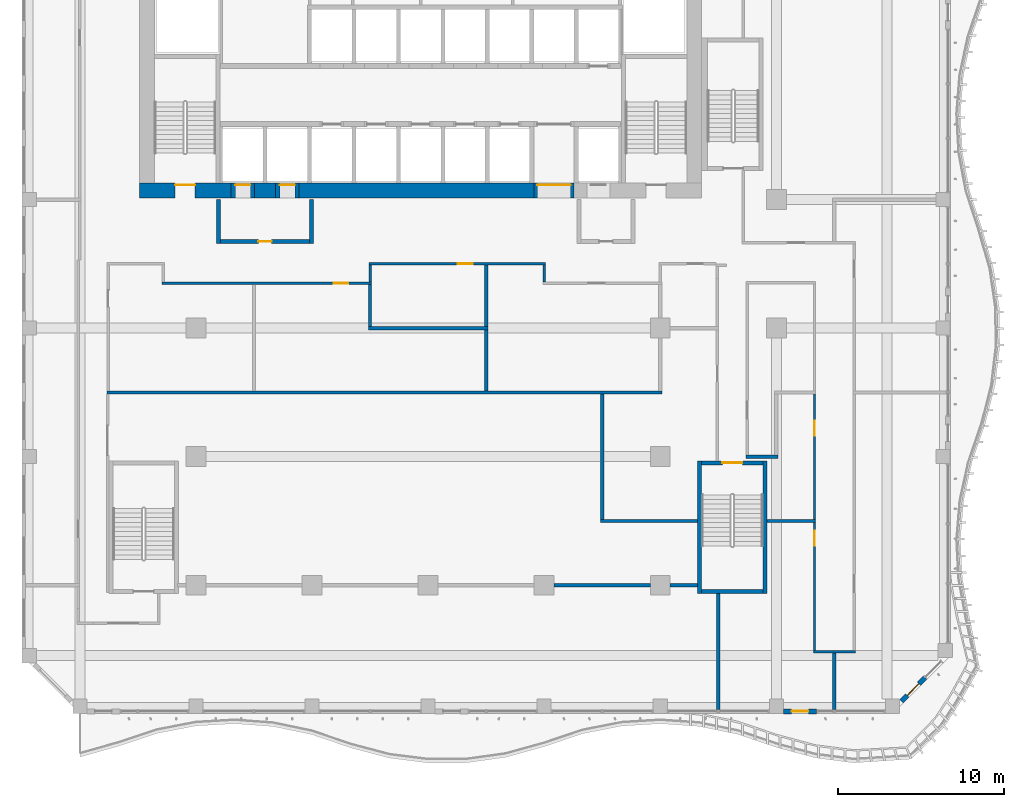
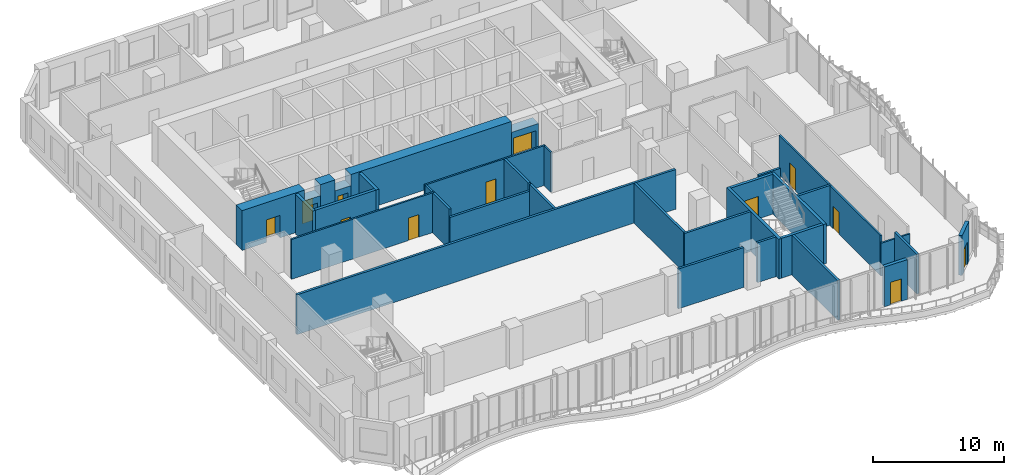
# One storey, part 13 of 27: 35 walls, 12 doors, 12 openings.
"""IFC4 building model written with IfcOpenShell, lengths in metres."""

from ifc_helpers import new_model, si_unit, direction, frame, frame_2d, origin, place, context, subcontext, project, spatial, rectangle, extrude, source, transform, mapped, material, layer, layer_set, type_object, element, fill, save


model = new_model("IFC4")

# Units and contexts
model_context = context("Model", 3, precision=1e-05, world=origin(), true_north=direction((0.0, 1.0)))
body_context = subcontext(model_context, "Body", "Model", "MODEL_VIEW")
ifc_project = project(units=[si_unit("LENGTHUNIT", "METRE"), si_unit("AREAUNIT", "SQUARE_METRE"), si_unit("VOLUMEUNIT", "CUBIC_METRE"), si_unit("PLANEANGLEUNIT", "RADIAN"), si_unit("MASSUNIT", "GRAM", prefix="KILO")], contexts=[model_context])

# Site, building, storey
site_placement = place(None, origin())
site = spatial("IfcSite", under=ifc_project, at=site_placement, CompositionType="ELEMENT")
building_placement = place(site_placement, origin())
building = spatial("IfcBuilding", under=site, at=building_placement, Name="Kilnfold Tower and Market Hall", CompositionType="ELEMENT")
storey_placement = place(building_placement, frame((0.0, 0.0, 116.60009765625)))
storey = spatial("IfcBuildingStorey", under=building, at=storey_placement, Name="L27", CompositionType="ELEMENT", Elevation=116.60009765625)

# Wall, opening, door
ifc_material_1 = material(Name="Gypsum board on steel studs", Category="steel")
ifc_layer_1 = layer(ifc_material_1, 0.14990234375)
ifc_layer_set_1 = layer_set([ifc_layer_1], Name="Gypsum board on steel studs")
wall_type_1 = type_object("IfcWallType", Name="WALL CORRIDOR 150", PredefinedType="PARTITIONING", material=ifc_layer_set_1)
wall_1_placement = place(storey_placement, frame((-14.534912109375, 2.949951171875, 0.0), z_axis=(0.0, 0.0, 1.0), x_axis=(1.0, 0.0, 0.0)))
wall_1 = element("IfcWall", 1, at=wall_1_placement, inside=storey, type_object=wall_type_1, Name="Partition LY17.3", PredefinedType="PARTITIONING", context=body_context, shape_type="SweptSolid", body=[
    extrude(rectangle(XDim=12.635009765625, YDim=0.14990234375, at=frame_2d((6.3173828125, 0.0))), origin(), (0.0, 0.0, 1.0), 3.719970703125),
])
opening_1_placement = place(wall_1_placement, frame((10.3330078125, 0.0, 0.0)))
opening_1 = element("IfcOpeningElement", 2, at=opening_1_placement, cuts=wall_1, Name="Opening D3", PredefinedType="OPENING", context=body_context, shape_type="SweptSolid", body=[
    extrude(rectangle(XDim=0.89990234375, YDim=2.10009765625, at=frame_2d((0.449951171875, 1.050048828125))), frame((0.0, 0.0849609375, 0.0), z_axis=(0.0, -1.0, 0.0), x_axis=(1.0, 0.0, 0.0)), (0.0, 0.0, 1.0), 0.169921875),
])
ifc_material_2 = material(Name="Timber veneer door leaf in steel frame", Category="steel")
door_type_1 = type_object("IfcDoorType", Name="DOOR WC 900 X2100", OperationType="NOTDEFINED", PredefinedType="DOOR", material=ifc_material_2)
door_1_placement = place(opening_1_placement, origin())
door_1 = element("IfcDoor", 3, at=door_1_placement, inside=storey, type_object=door_type_1, Name="Door D3", OperationType="SINGLE_SWING_LEFT", OverallHeight=2.10009765625, OverallWidth=0.89990234375, PredefinedType="DOOR", context=body_context, shape_type="SweptSolid", body=[
    extrude(rectangle(XDim=0.89990234375, YDim=2.10009765625, at=frame_2d((0.449951171875, 1.050048828125))), frame((0.0, 0.02490234375, 0.0), z_axis=(0.0, -1.0, 0.0), x_axis=(1.0, 0.0, 0.0)), (0.0, 0.0, 1.0), 0.050048828125),
])
fill(opening_1, door_1)

wall_2_placement = place(storey_placement, frame((-2.074951171875, 4.125, 0.0), z_axis=(0.0, 0.0, 1.0), x_axis=(1.0, 0.0, 0.0)))
wall_2 = element("IfcWall", 4, at=wall_2_placement, inside=storey, type_object=wall_type_1, Name="Partition LY17.13", PredefinedType="PARTITIONING", context=body_context, shape_type="SweptSolid", body=[
    extrude(rectangle(XDim=10.64990234375, YDim=0.14990234375, at=frame_2d((5.324951171875, 0.0))), origin(), (0.0, 0.0, 1.0), 3.719970703125),
])
opening_2_placement = place(wall_2_placement, frame((5.3759765625, 0.0, 0.0)))
opening_2 = element("IfcOpeningElement", 5, at=opening_2_placement, cuts=wall_2, Name="Opening D2", PredefinedType="OPENING", context=body_context, shape_type="SweptSolid", body=[
    extrude(rectangle(XDim=0.89990234375, YDim=2.10009765625, at=frame_2d((0.449951171875, 1.050048828125))), frame((0.0, 0.0849609375, 0.0), z_axis=(0.0, -1.0, 0.0), x_axis=(1.0, 0.0, 0.0)), (0.0, 0.0, 1.0), 0.169921875),
])
ifc_material_3 = material(Name="Timber veneer door leaf in steel frame", Category="steel")
door_type_2 = type_object("IfcDoorType", Name="DOOR ROOM 900 X2100", OperationType="NOTDEFINED", PredefinedType="DOOR", material=ifc_material_3)
door_2_placement = place(opening_2_placement, origin())
door_2 = element("IfcDoor", 6, at=door_2_placement, inside=storey, type_object=door_type_2, Name="Door D2", OperationType="SINGLE_SWING_RIGHT", OverallHeight=2.10009765625, OverallWidth=0.89990234375, PredefinedType="DOOR", context=body_context, shape_type="SweptSolid", body=[
    extrude(rectangle(XDim=0.89990234375, YDim=2.10009765625, at=frame_2d((0.449951171875, 1.050048828125))), frame((0.0, 0.02490234375, 0.0), z_axis=(0.0, -1.0, 0.0), x_axis=(1.0, 0.0, 0.0)), (0.0, 0.0, 1.0), 0.050048828125),
])
fill(opening_2, door_2)

# Walls
for number, where, z_axis, x_axis, name in (
    (7, (-2.0, 3.02490234375, 0.0), (0.0, 0.0, 1.0), (0.0, 1.0, 0.0), "Partition LY17.14"),
    (8, (8.5, 4.050048828125, 0.0), (0.0, 0.0, 1.0), (0.0, -1.0, 0.0), "Partition LY17.16"),
):
    element("IfcWall", number, at=place(storey_placement, frame(where, z_axis=z_axis, x_axis=x_axis)), inside=storey, type_object=wall_type_1, Name=name, PredefinedType="PARTITIONING", context=body_context, shape_type="SweptSolid", body=[
        extrude(rectangle(XDim=1.025146484375, YDim=0.14990234375, at=frame_2d((0.5126953125, 0.0))), origin(), (0.0, 0.0, 1.0), 3.719970703125),
    ])
wall_3_placement = place(storey_placement, frame((24.72509765625, -19.25, 0.0), z_axis=(0.0, 0.0, 1.0), x_axis=(1.0, 0.0, 0.0)))
element("IfcWall", 9, at=wall_3_placement, inside=storey, type_object=wall_type_1, Name="Partition LY17.18", PredefinedType="PARTITIONING", context=body_context, shape_type="SweptSolid", body=[
    extrude(rectangle(XDim=2.5498046875, YDim=0.14990234375, at=frame_2d((1.27490234375, 0.0))), origin(), (0.0, 0.0, 1.0), 3.06982421875),
])

# Wall, opening, door
wall_4_placement = place(storey_placement, frame((24.800048828125, -19.175048828125, 0.0), z_axis=(0.0, 0.0, 1.0), x_axis=(0.0, 1.0, 0.0)))
wall_4 = element("IfcWall", 10, at=wall_4_placement, inside=storey, type_object=wall_type_1, Name="Partition LY17.19", PredefinedType="PARTITIONING", context=body_context, shape_type="SweptSolid", body=[
    extrude(rectangle(XDim=7.7099609375, YDim=0.14990234375, at=frame_2d((3.85498046875, 0.0))), origin(), (0.0, 0.0, 1.0), 3.719970703125),
])
opening_3_placement = place(wall_4_placement, frame((6.31005859375, 0.0, 0.0)))
opening_3 = element("IfcOpeningElement", 11, at=opening_3_placement, cuts=wall_4, Name="Opening D3", PredefinedType="OPENING", context=body_context, shape_type="SweptSolid", body=[
    extrude(rectangle(XDim=0.89990234375, YDim=2.10009765625, at=frame_2d((0.449951171875, 1.050048828125))), frame((0.0, 0.0849609375, 0.0), z_axis=(0.0, -1.0, 0.0), x_axis=(1.0, 0.0, 0.0)), (0.0, 0.0, 1.0), 0.169921875),
])
door_3_placement = place(opening_3_placement, origin())
door_3 = element("IfcDoor", 12, at=door_3_placement, inside=storey, type_object=door_type_1, Name="Door D3", OperationType="SINGLE_SWING_RIGHT", OverallHeight=2.10009765625, OverallWidth=0.89990234375, PredefinedType="DOOR", context=body_context, shape_type="SweptSolid", body=[
    extrude(rectangle(XDim=0.89990234375, YDim=2.10009765625, at=frame_2d((0.449951171875, 1.050048828125))), frame((0.0, 0.02490234375, 0.0), z_axis=(0.0, -1.0, 0.0), x_axis=(1.0, 0.0, 0.0)), (0.0, 0.0, 1.0), 0.050048828125),
])
fill(opening_3, door_3)

wall_5_placement = place(storey_placement, frame((24.800048828125, -11.284912109375, 0.0), z_axis=(0.0, 0.0, 1.0), x_axis=(0.0, 1.0, 0.0)))
wall_5 = element("IfcWall", 13, at=wall_5_placement, inside=storey, type_object=wall_type_1, Name="Partition LY17.21", PredefinedType="PARTITIONING", context=body_context, shape_type="SweptSolid", body=[
    extrude(rectangle(XDim=7.56982421875, YDim=0.14990234375, at=frame_2d((3.784912109375, 0.0))), origin(), (0.0, 0.0, 1.0), 3.719970703125),
])
opening_4_placement = place(wall_5_placement, frame((5.053955078125, 0.0, 0.0)))
opening_4 = element("IfcOpeningElement", 14, at=opening_4_placement, cuts=wall_5, Name="Opening D2", PredefinedType="OPENING", context=body_context, shape_type="SweptSolid", body=[
    extrude(rectangle(XDim=0.89990234375, YDim=2.10009765625, at=frame_2d((0.449951171875, 1.050048828125))), frame((0.0, 0.0849609375, 0.0), z_axis=(0.0, -1.0, 0.0), x_axis=(1.0, 0.0, 0.0)), (0.0, 0.0, 1.0), 0.169921875),
])
door_4_placement = place(opening_4_placement, origin())
door_4 = element("IfcDoor", 15, at=door_4_placement, inside=storey, type_object=door_type_2, Name="Door D2", OperationType="SINGLE_SWING_LEFT", OverallHeight=2.10009765625, OverallWidth=0.89990234375, PredefinedType="DOOR", context=body_context, shape_type="SweptSolid", body=[
    extrude(rectangle(XDim=0.89990234375, YDim=2.10009765625, at=frame_2d((0.449951171875, 1.050048828125))), frame((0.0, 0.02490234375, 0.0), z_axis=(0.0, -1.0, 0.0), x_axis=(1.0, 0.0, 0.0)), (0.0, 0.0, 1.0), 0.050048828125),
])
fill(opening_4, door_4)

# Walls
ifc_material_4 = material(Name="Gypsum board on steel studs", Category="steel")
ifc_layer_2 = layer(ifc_material_4, 0.199951171875)
ifc_layer_set_2 = layer_set([ifc_layer_2], Name="Gypsum board on steel studs")
wall_type_2 = type_object("IfcWallType", Name="WALL PARTY 200", PredefinedType="PARTITIONING", material=ifc_layer_set_2)
wall_6_placement = place(storey_placement, frame((-17.8740234375, -3.625, 0.0), z_axis=(0.0, 0.0, 1.0), x_axis=(1.0, 0.0, 0.0)))
element("IfcWall", 16, at=wall_6_placement, inside=storey, type_object=wall_type_2, Name="Partition LY17.40", PredefinedType="PARTITIONING", context=body_context, shape_type="SweptSolid", body=[
    extrude(rectangle(XDim=33.47412109375, YDim=0.199951171875, at=frame_2d((16.737060546875, 0.0))), origin(), (0.0, 0.0, 1.0), 3.719970703125),
])
wall_7_placement = place(storey_placement, frame((16.10009765625, -15.25, 0.0), z_axis=(0.0, 0.0, 1.0), x_axis=(1.0, 0.0, 0.0)))
element("IfcWall", 17, at=wall_7_placement, inside=storey, type_object=wall_type_2, Name="Partition LY17.42", PredefinedType="PARTITIONING", context=body_context, shape_type="SweptSolid", body=[
    extrude(rectangle(XDim=1.64990234375, YDim=0.199951171875, at=frame_2d((0.824951171875, 0.0))), origin(), (0.0, 0.0, 1.0), 3.719970703125),
])
wall_8_placement = place(storey_placement, frame((9.10009765625, -15.25, 0.0), z_axis=(0.0, 0.0, 1.0), x_axis=(1.0, 0.0, 0.0)))
element("IfcWall", 18, at=wall_8_placement, inside=storey, type_object=wall_type_2, Name="Partition LY17.43", PredefinedType="PARTITIONING", context=body_context, shape_type="SweptSolid", body=[
    extrude(rectangle(XDim=5.7998046875, YDim=0.199951171875, at=frame_2d((2.89990234375, 0.0))), origin(), (0.0, 0.0, 1.0), 3.719970703125),
])
wall_9_placement = place(storey_placement, frame((12.0, -11.27490234375, 0.0), z_axis=(0.0, 0.0, 1.0), x_axis=(0.0, 1.0, 0.0)))
element("IfcWall", 19, at=wall_9_placement, inside=storey, type_object=wall_type_2, Name="Partition LY17.48", PredefinedType="PARTITIONING", context=body_context, shape_type="SweptSolid", body=[
    extrude(rectangle(XDim=7.5498046875, YDim=0.199951171875, at=frame_2d((3.77490234375, 0.0))), origin(), (0.0, 0.0, 1.0), 3.719970703125),
])
wall_10_placement = place(storey_placement, frame((11.89990234375, -11.375, 0.0), z_axis=(0.0, 0.0, 1.0), x_axis=(1.0, 0.0, 0.0)))
element("IfcWall", 20, at=wall_10_placement, inside=storey, type_object=wall_type_2, Name="Partition LY17.49", PredefinedType="PARTITIONING", context=body_context, shape_type="SweptSolid", body=[
    extrude(rectangle(XDim=5.85009765625, YDim=0.199951171875, at=frame_2d((2.925048828125, 0.0))), origin(), (0.0, 0.0, 1.0), 3.719970703125),
])
wall_11_placement = place(storey_placement, frame((19.0, -22.75, 0.0), z_axis=(0.0, 0.0, 1.0), x_axis=(0.0, 1.0, 0.0)))
element("IfcWall", 21, at=wall_11_placement, inside=storey, type_object=wall_type_2, Name="Partition LY17.50", PredefinedType="PARTITIONING", context=body_context, shape_type="SweptSolid", body=[
    extrude(rectangle(XDim=7.0, YDim=0.199951171875, at=frame_2d((3.5, 0.0))), origin(), (0.0, 0.0, 1.0), 3.719970703125),
])
wall_12_placement = place(storey_placement, frame((-2.0, 0.35009765625, 0.0), z_axis=(0.0, 0.0, 1.0), x_axis=(0.0, 1.0, 0.0)))
element("IfcWall", 22, at=wall_12_placement, inside=storey, type_object=wall_type_2, Name="Partition LY17.51", PredefinedType="PARTITIONING", context=body_context, shape_type="SweptSolid", body=[
    extrude(rectangle(XDim=2.52392578125, YDim=0.199951171875, at=frame_2d((1.261962890625, 0.0))), origin(), (0.0, 0.0, 1.0), 3.719970703125),
])
wall_13_placement = place(storey_placement, frame((-2.10009765625, 0.25, 0.0), z_axis=(0.0, 0.0, 1.0), x_axis=(1.0, 0.0, 0.0)))
element("IfcWall", 23, at=wall_13_placement, inside=storey, type_object=wall_type_2, Name="Partition LY17.52", PredefinedType="PARTITIONING", context=body_context, shape_type="SweptSolid", body=[
    extrude(rectangle(XDim=7.2001953125, YDim=0.199951171875, at=frame_2d((3.60009765625, 0.0))), origin(), (0.0, 0.0, 1.0), 3.06982421875),
])
wall_14_placement = place(storey_placement, frame((5.0, -3.52490234375, 0.0), z_axis=(0.0, 0.0, 1.0), x_axis=(0.0, 1.0, 0.0)))
element("IfcWall", 24, at=wall_14_placement, inside=storey, type_object=wall_type_2, Name="Partition LY17.53", PredefinedType="PARTITIONING", context=body_context, shape_type="SweptSolid", body=[
    extrude(rectangle(XDim=3.6748046875, YDim=0.199951171875, at=frame_2d((1.83740234375, 0.0))), origin(), (0.0, 0.0, 1.0), 3.719970703125),
])
wall_15_placement = place(storey_placement, frame((5.0, 0.35009765625, 0.0), z_axis=(0.0, 0.0, 1.0), x_axis=(0.0, 1.0, 0.0)))
element("IfcWall", 25, at=wall_15_placement, inside=storey, type_object=wall_type_2, Name="Partition LY17.54", PredefinedType="PARTITIONING", context=body_context, shape_type="SweptSolid", body=[
    extrude(rectangle(XDim=3.698974609375, YDim=0.199951171875, at=frame_2d((1.849609375, 0.0))), origin(), (0.0, 0.0, 1.0), 3.719970703125),
])
wall_16_placement = place(storey_placement, frame((26.0, -22.75, 0.0), z_axis=(0.0, 0.0, 1.0), x_axis=(0.0, 1.0, 0.0)))
element("IfcWall", 26, at=wall_16_placement, inside=storey, type_object=wall_type_2, Name="Partition LY17.58", PredefinedType="PARTITIONING", context=body_context, shape_type="SweptSolid", body=[
    extrude(rectangle(XDim=3.424072265625, YDim=0.199951171875, at=frame_2d((1.7119140625, 0.0))), origin(), (0.0, 0.0, 1.0), 3.719970703125),
])
wall_17_placement = place(storey_placement, frame((21.949951171875, -11.375, 0.0), z_axis=(0.0, 0.0, 1.0), x_axis=(1.0, 0.0, 0.0)))
element("IfcWall", 27, at=wall_17_placement, inside=storey, type_object=wall_type_2, Name="Partition LY17.59", PredefinedType="PARTITIONING", context=body_context, shape_type="SweptSolid", body=[
    extrude(rectangle(XDim=2.924072265625, YDim=0.199951171875, at=frame_2d((1.4619140625, 0.0))), origin(), (0.0, 0.0, 1.0), 3.719970703125),
])
wall_18_placement = place(storey_placement, frame((22.60009765625, -7.5, 0.0), z_axis=(0.0, 0.0, 1.0), x_axis=(-1.0, 0.0, 0.0)))
element("IfcWall", 28, at=wall_18_placement, inside=storey, type_object=wall_type_2, Name="Partition LY17.61", PredefinedType="PARTITIONING", context=body_context, shape_type="SweptSolid", body=[
    extrude(rectangle(XDim=1.924072265625, YDim=0.199951171875, at=frame_2d((0.9619140625, 0.0))), origin(), (0.0, 0.0, 1.0), 3.719970703125),
])
ifc_material_5 = material(Name="Concrete C70", Category="concrete")
ifc_layer_3 = layer(ifc_material_5, 0.25)
ifc_layer_set_3 = layer_set([ifc_layer_3], Name="Concrete C70")
wall_type_3 = type_object("IfcWallType", Name="CORE WALL 250 C70", PredefinedType="SHEAR", material=ifc_layer_set_3)
shared_shape_1 = source(origin(), body_context, "Body", "SweptSolid", [
    extrude(rectangle(XDim=3.699951171875, YDim=0.25, at=frame_2d((1.85009765625, 0.0))), origin(), (0.0, 0.0, 1.0), 3.719970703125),
])
wall_19_placement = place(storey_placement, frame((18.0, -15.625, 0.0), z_axis=(0.0, 0.0, 1.0), x_axis=(1.0, 0.0, 0.0)))
element("IfcWall", 29, at=wall_19_placement, inside=storey, type_object=wall_type_3, Name="Stair enclosure ST4", PredefinedType="SHEAR", context=body_context, shape_type="MappedRepresentation", body=[
    mapped(shared_shape_1, transform((0.0, 0.0, 0.0))),
])

# Wall, opening, door
wall_20_placement = place(storey_placement, frame((18.0, -7.875, 0.0), z_axis=(0.0, 0.0, 1.0), x_axis=(1.0, 0.0, 0.0)))
wall_20 = element("IfcWall", 30, at=wall_20_placement, inside=storey, type_object=wall_type_3, Name="Stair enclosure ST4", PredefinedType="SHEAR", context=body_context, shape_type="MappedRepresentation", body=[
    mapped(shared_shape_1, transform((0.0, 0.0, 0.0))),
])
opening_5_placement = place(wall_20_placement, frame((1.25, 0.0, 0.0)))
opening_5 = element("IfcOpeningElement", 31, at=opening_5_placement, cuts=wall_20, Name="Opening SD1", PredefinedType="OPENING", context=body_context, shape_type="SweptSolid", body=[
    extrude(rectangle(XDim=1.199951171875, YDim=2.10009765625, at=frame_2d((0.60009765625, 1.050048828125))), frame((0.0, 0.135009765625, 0.0), z_axis=(0.0, -1.0, 0.0), x_axis=(1.0, 0.0, 0.0)), (0.0, 0.0, 1.0), 0.27001953125),
])
ifc_material_6 = material(Name="Steel door set with fire-resisting leaf", Category="steel")
door_type_3 = type_object("IfcDoorType", Name="STAIR FLOOR DOOR 1200X2100", OperationType="NOTDEFINED", PredefinedType="DOOR", material=ifc_material_6)
door_5_placement = place(opening_5_placement, origin())
door_5 = element("IfcDoor", 32, at=door_5_placement, inside=storey, type_object=door_type_3, Name="Exit stair ST4 door", OperationType="DOUBLE_DOOR_SINGLE_SWING", OverallHeight=2.10009765625, OverallWidth=1.199951171875, PredefinedType="DOOR", context=body_context, shape_type="SweptSolid", body=[
    extrude(rectangle(XDim=1.199951171875, YDim=2.10009765625, at=frame_2d((0.60009765625, 1.050048828125))), frame((0.0, 0.02490234375, 0.0), z_axis=(0.0, -1.0, 0.0), x_axis=(1.0, 0.0, 0.0)), (0.0, 0.0, 1.0), 0.050048828125),
])
fill(opening_5, door_5)

# Walls
shared_shape_2 = source(origin(), body_context, "Body", "SweptSolid", [
    extrude(rectangle(XDim=8.0, YDim=0.25, at=frame_2d((4.0, 0.0))), origin(), (0.0, 0.0, 1.0), 3.719970703125),
])
for number, where, z_axis, x_axis, name in (
    (33, (17.875, -15.75, 0.0), (0.0, 0.0, 1.0), (0.0, 1.0, 0.0), "Stair enclosure ST4"),
    (34, (21.824951171875, -15.75, 0.0), (0.0, 0.0, 1.0), (0.0, 1.0, 0.0), "Stair enclosure ST4"),
):
    element("IfcWall", number, at=place(storey_placement, frame(where, z_axis=z_axis, x_axis=x_axis)), inside=storey, type_object=wall_type_3, Name=name, PredefinedType="SHEAR", context=body_context, shape_type="MappedRepresentation", body=[
        mapped(shared_shape_2, transform((0.0, 0.0, 0.0))),
    ])

# Wall, opening, door
ifc_material_7 = material(Name="Concrete C70", Category="concrete")
ifc_layer_4 = layer(ifc_material_7, 0.89990234375)
ifc_layer_set_4 = layer_set([ifc_layer_4], Name="Concrete C70")
wall_type_4 = type_object("IfcWallType", Name="CORE WALL 900 C70", PredefinedType="SHEAR", material=ifc_layer_set_4)
shared_shape_3 = source(origin(), body_context, "Body", "SweptSolid", [
    extrude(rectangle(XDim=5.52978515625, YDim=0.89990234375, at=frame_2d((2.764892578125, 0.0))), origin(), (0.0, 0.0, 1.0), 3.719970703125),
])
wall_21_placement = place(storey_placement, frame((-15.89990234375, 8.550048828125, 0.0), z_axis=(0.0, 0.0, 1.0), x_axis=(1.0, 0.0, 0.0)))
wall_21 = element("IfcWall", 35, at=wall_21_placement, inside=storey, type_object=wall_type_4, Name="Core outer wall south", PredefinedType="SHEAR", context=body_context, shape_type="MappedRepresentation", body=[
    mapped(shared_shape_3, transform((0.0, 0.0, 0.0))),
])
opening_6_placement = place(wall_21_placement, frame((2.14990234375, 0.0, 0.0)))
opening_6 = element("IfcOpeningElement", 36, at=opening_6_placement, cuts=wall_21, Name="Opening SD1", PredefinedType="OPENING", context=body_context, shape_type="SweptSolid", body=[
    extrude(rectangle(XDim=1.199951171875, YDim=2.10009765625, at=frame_2d((0.60009765625, 1.050048828125))), frame((0.0, 0.4599609375, 0.0), z_axis=(0.0, -1.0, 0.0), x_axis=(1.0, 0.0, 0.0)), (0.0, 0.0, 1.0), 0.919921875),
])
door_6_placement = place(opening_6_placement, origin())
door_6 = element("IfcDoor", 37, at=door_6_placement, inside=storey, type_object=door_type_3, Name="Exit stair ST1 door", OperationType="DOUBLE_DOOR_SINGLE_SWING", OverallHeight=2.10009765625, OverallWidth=1.199951171875, PredefinedType="DOOR", context=body_context, shape_type="SweptSolid", body=[
    extrude(rectangle(XDim=1.199951171875, YDim=2.10009765625, at=frame_2d((0.60009765625, 1.050048828125))), frame((0.0, 0.35498046875, 0.0), z_axis=(0.0, -1.0, 0.0), x_axis=(1.0, 0.0, 0.0)), (0.0, 0.0, 1.0), 0.050048828125),
])
fill(opening_6, door_6)

# Walls
shared_shape_4 = source(origin(), body_context, "Body", "SweptSolid", [
    extrude(rectangle(XDim=1.280029296875, YDim=0.89990234375, at=frame_2d((0.64013671875, 0.0))), origin(), (0.0, 0.0, 1.0), 3.719970703125),
])
wall_22_placement = place(storey_placement, frame((-8.969970703125, 8.550048828125, 0.0), z_axis=(0.0, 0.0, 1.0), x_axis=(1.0, 0.0, 0.0)))
element("IfcWall", 38, at=wall_22_placement, inside=storey, type_object=wall_type_4, Name="Core outer wall south", PredefinedType="SHEAR", context=body_context, shape_type="MappedRepresentation", body=[
    mapped(shared_shape_4, transform((0.0, 0.0, 0.0))),
])
shared_shape_5 = source(origin(), body_context, "Body", "SweptSolid", [
    extrude(rectangle(XDim=14.179931640625, YDim=0.89990234375, at=frame_2d((7.08984375, 0.0))), origin(), (0.0, 0.0, 1.0), 3.719970703125),
])
wall_23_placement = place(storey_placement, frame((-6.2900390625, 8.550048828125, 0.0), z_axis=(0.0, 0.0, 1.0), x_axis=(1.0, 0.0, 0.0)))
element("IfcWall", 39, at=wall_23_placement, inside=storey, type_object=wall_type_4, Name="Core outer wall south", PredefinedType="SHEAR", context=body_context, shape_type="MappedRepresentation", body=[
    mapped(shared_shape_5, transform((0.0, 0.0, 0.0))),
])

# Wall, opening, door
ifc_material_8 = material(Name="Precast concrete C50/60", Category="concrete")
ifc_layer_5 = layer(ifc_material_8, 0.300048828125)
ifc_layer_set_5 = layer_set([ifc_layer_5], Name="Precast concrete C50/60")
wall_type_5 = type_object("IfcWallType", Name="PRECAST WALL 300", PredefinedType="SOLIDWALL", material=ifc_layer_set_5)
shared_shape_6 = source(origin(), body_context, "Body", "SweptSolid", [
    extrude(rectangle(XDim=2.0, YDim=0.300048828125, at=frame_2d((1.0, 0.0))), origin(), (0.0, 0.0, 1.0), 3.719970703125),
])
wall_24_placement = place(storey_placement, frame((22.925048828125, -22.85009765625, 0.0), z_axis=(0.0, 0.0, 1.0), x_axis=(1.0, 0.0, 0.0)))
wall_24 = element("IfcWall", 40, at=wall_24_placement, inside=storey, type_object=wall_type_5, Name="External wall L27 S", PredefinedType="SOLIDWALL", context=body_context, shape_type="MappedRepresentation", body=[
    mapped(shared_shape_6, transform((0.0, 0.0, 0.0))),
])
opening_7_placement = place(wall_24_placement, frame((0.5, 0.0, 0.0)))
opening_7 = element("IfcOpeningElement", 41, at=opening_7_placement, cuts=wall_24, Name="Opening BD1", PredefinedType="OPENING", context=body_context, shape_type="SweptSolid", body=[
    extrude(rectangle(XDim=1.0, YDim=2.10009765625, at=frame_2d((0.5, 1.050048828125))), frame((0.0, 0.16015625, 0.0), z_axis=(0.0, -1.0, 0.0), x_axis=(1.0, 0.0, 0.0)), (0.0, 0.0, 1.0), 0.320068359375),
])
ifc_material_9 = material(Name="Aluminium frame and double glazing", Category="aluminium")
door_type_4 = type_object("IfcDoorType", Name="BALCONY DOOR 1000X2100", OperationType="NOTDEFINED", PredefinedType="DOOR", material=ifc_material_9)
door_7_placement = place(opening_7_placement, origin())
door_7 = element("IfcDoor", 42, at=door_7_placement, inside=storey, type_object=door_type_4, Name="Balcony door BD1 L27 S-1", OperationType="SINGLE_SWING_LEFT", OverallHeight=2.10009765625, OverallWidth=1.0, PredefinedType="DOOR", context=body_context, shape_type="SweptSolid", body=[
    extrude(rectangle(XDim=1.0, YDim=2.10009765625, at=frame_2d((0.5, 1.050048828125))), frame((0.0, 0.02490234375, 0.0), z_axis=(0.0, -1.0, 0.0), x_axis=(1.0, 0.0, 0.0)), (0.0, 0.0, 1.0), 0.050048828125),
])
fill(opening_7, door_7)

wall_25_placement = place(storey_placement, frame((30.0439453125, -22.243896484375, 0.0), z_axis=(0.0, 0.0, 1.0), x_axis=(0.707045742145, 0.70716781496, 0.0)))
wall_25 = element("IfcWall", 43, at=wall_25_placement, inside=storey, type_object=wall_type_5, Name="External wall L27 SE", PredefinedType="SOLIDWALL", context=body_context, shape_type="MappedRepresentation", body=[
    mapped(shared_shape_6, transform((0.0, 0.0, 0.0))),
])
opening_8_placement = place(wall_25_placement, frame((0.5, 0.0, 0.0)))
opening_8 = element("IfcOpeningElement", 44, at=opening_8_placement, cuts=wall_25, Name="Opening BD1", PredefinedType="OPENING", context=body_context, shape_type="SweptSolid", body=[
    extrude(rectangle(XDim=1.0, YDim=2.10009765625, at=frame_2d((0.5, 1.050048828125))), frame((0.0, 0.16015625, 0.0), z_axis=(0.0, -1.0, 0.0), x_axis=(1.0, 0.0, 0.0)), (0.0, 0.0, 1.0), 0.320068359375),
])
door_8_placement = place(opening_8_placement, origin())
door_8 = element("IfcDoor", 45, at=door_8_placement, inside=storey, type_object=door_type_4, Name="Balcony door BD1 L27 SE-1", OperationType="SINGLE_SWING_LEFT", OverallHeight=2.10009765625, OverallWidth=1.0, PredefinedType="DOOR", context=body_context, shape_type="SweptSolid", body=[
    extrude(rectangle(XDim=1.0, YDim=2.10009765625, at=frame_2d((0.5, 1.050048828125))), frame((0.0, 0.02490234375, 0.0), z_axis=(0.0, -1.0, 0.0), x_axis=(1.0, 0.0, 0.0)), (0.0, 0.0, 1.0), 0.050048828125),
])
fill(opening_8, door_8)

# Walls
ifc_material_10 = material(Name="Gypsum shaft wall system")
ifc_layer_6 = layer(ifc_material_10, 0.25)
ifc_layer_set_6 = layer_set([ifc_layer_6], Name="Gypsum shaft wall system")
wall_type_6 = type_object("IfcWallType", Name="LOBBY WALL 250", PredefinedType="PARTITIONING", material=ifc_layer_set_6)
shared_shape_7 = source(origin(), body_context, "Body", "SweptSolid", [
    extrude(rectangle(XDim=2.64990234375, YDim=0.25, at=frame_2d((1.324951171875, 0.0))), origin(), (0.0, 0.0, 1.0), 3.719970703125),
])
for number, where, z_axis, x_axis, name in (
    (46, (-11.135009765625, 5.35009765625, 0.0), (0.0, 0.0, 1.0), (0.0, 1.0, 0.0), "Firefighting lobby wall"),
    (47, (-5.52490234375, 5.35009765625, 0.0), (0.0, 0.0, 1.0), (0.0, 1.0, 0.0), "Firefighting lobby wall"),
):
    element("IfcWall", number, at=place(storey_placement, frame(where, z_axis=z_axis, x_axis=x_axis)), inside=storey, type_object=wall_type_6, Name=name, PredefinedType="PARTITIONING", context=body_context, shape_type="MappedRepresentation", body=[
        mapped(shared_shape_7, transform((0.0, 0.0, 0.0))),
    ])

# Wall, opening, door
shared_shape_8 = source(origin(), body_context, "Body", "SweptSolid", [
    extrude(rectangle(XDim=5.360107421875, YDim=0.25, at=frame_2d((2.68017578125, 0.0))), origin(), (0.0, 0.0, 1.0), 3.719970703125),
])
wall_26_placement = place(storey_placement, frame((-11.010009765625, 5.47509765625, 0.0), z_axis=(0.0, 0.0, 1.0), x_axis=(1.0, 0.0, 0.0)))
wall_26 = element("IfcWall", 48, at=wall_26_placement, inside=storey, type_object=wall_type_6, Name="Firefighting lobby wall", PredefinedType="PARTITIONING", context=body_context, shape_type="MappedRepresentation", body=[
    mapped(shared_shape_8, transform((0.0, 0.0, 0.0))),
])
opening_9_placement = place(wall_26_placement, frame((2.280029296875, 0.0, 0.0)))
opening_9 = element("IfcOpeningElement", 49, at=opening_9_placement, cuts=wall_26, Name="Opening VD1", PredefinedType="OPENING", context=body_context, shape_type="SweptSolid", body=[
    extrude(rectangle(XDim=0.800048828125, YDim=2.0, at=frame_2d((0.39990234375, 1.0))), frame((0.0, 0.135009765625, 0.0), z_axis=(0.0, -1.0, 0.0), x_axis=(1.0, 0.0, 0.0)), (0.0, 0.0, 1.0), 0.27001953125),
])
ifc_material_11 = material(Name="Steel door set with fire-resisting leaf", Category="steel")
door_type_5 = type_object("IfcDoorType", Name="FIREFIGHTING LOBBY DOOR 800X2000", OperationType="NOTDEFINED", PredefinedType="DOOR", material=ifc_material_11)
door_9_placement = place(opening_9_placement, origin())
door_9 = element("IfcDoor", 50, at=door_9_placement, inside=storey, type_object=door_type_5, Name="Firefighting lobby door", OperationType="SINGLE_SWING_LEFT", OverallHeight=2.0, OverallWidth=0.800048828125, PredefinedType="DOOR", context=body_context, shape_type="SweptSolid", body=[
    extrude(rectangle(XDim=0.800048828125, YDim=2.0, at=frame_2d((0.39990234375, 1.0))), frame((0.0, 0.02490234375, 0.0), z_axis=(0.0, -1.0, 0.0), x_axis=(1.0, 0.0, 0.0)), (0.0, 0.0, 1.0), 0.050048828125),
])
fill(opening_9, door_9)

ifc_material_12 = material(Name="Gypsum shaft wall system")
ifc_layer_7 = layer(ifc_material_12, 0.89990234375)
ifc_layer_set_7 = layer_set([ifc_layer_7], Name="Gypsum shaft wall system")
wall_type_7 = type_object("IfcWallType", Name="LOBBY WALL 900", PredefinedType="PARTITIONING", material=ifc_layer_set_7)
shared_shape_9 = source(origin(), body_context, "Body", "SweptSolid", [
    extrude(rectangle(XDim=1.400146484375, YDim=0.89990234375, at=frame_2d((0.7001953125, 0.0))), origin(), (0.0, 0.0, 1.0), 2.699951171875),
])
wall_27_placement = place(storey_placement, frame((-10.3701171875, 8.550048828125, 0.0), z_axis=(0.0, 0.0, 1.0), x_axis=(1.0, 0.0, 0.0)))
wall_27 = element("IfcWall", 51, at=wall_27_placement, inside=storey, type_object=wall_type_7, Name="Core wall infill", PredefinedType="PARTITIONING", context=body_context, shape_type="MappedRepresentation", body=[
    mapped(shared_shape_9, transform((0.0, 0.0, 0.0))),
])
opening_10_placement = place(wall_27_placement, frame((0.25, 0.0, 0.0)))
opening_10 = element("IfcOpeningElement", 52, at=opening_10_placement, cuts=wall_27, Name="Opening LD1", PredefinedType="OPENING", context=body_context, shape_type="SweptSolid", body=[
    extrude(rectangle(XDim=0.89990234375, YDim=2.10009765625, at=frame_2d((0.449951171875, 1.050048828125))), frame((0.0, 0.4599609375, 0.0), z_axis=(0.0, -1.0, 0.0), x_axis=(1.0, 0.0, 0.0)), (0.0, 0.0, 1.0), 0.919921875),
])
ifc_material_13 = material(Name="Steel door set with fire-resisting leaf", Category="steel")
door_type_6 = type_object("IfcDoorType", Name="FIREFIGHTING LANDING DOOR 900X2100", OperationType="NOTDEFINED", PredefinedType="DOOR", material=ifc_material_13)
door_10_placement = place(opening_10_placement, origin())
door_10 = element("IfcDoor", 53, at=door_10_placement, inside=storey, type_object=door_type_6, Name="Landing door FF1", OperationType="SLIDING_TO_LEFT", OverallHeight=2.10009765625, OverallWidth=0.89990234375, PredefinedType="DOOR", context=body_context, shape_type="SweptSolid", body=[
    extrude(rectangle(XDim=0.89990234375, YDim=2.10009765625, at=frame_2d((0.449951171875, 1.050048828125))), frame((0.0, 0.35498046875, 0.0), z_axis=(0.0, -1.0, 0.0), x_axis=(1.0, 0.0, 0.0)), (0.0, 0.0, 1.0), 0.050048828125),
])
fill(opening_10, door_10)

shared_shape_10 = source(origin(), body_context, "Body", "SweptSolid", [
    extrude(rectangle(XDim=1.39990234375, YDim=0.89990234375, at=frame_2d((0.699951171875, 0.0))), origin(), (0.0, 0.0, 1.0), 2.699951171875),
])
wall_28_placement = place(storey_placement, frame((-7.68994140625, 8.550048828125, 0.0), z_axis=(0.0, 0.0, 1.0), x_axis=(1.0, 0.0, 0.0)))
wall_28 = element("IfcWall", 54, at=wall_28_placement, inside=storey, type_object=wall_type_7, Name="Core wall infill", PredefinedType="PARTITIONING", context=body_context, shape_type="MappedRepresentation", body=[
    mapped(shared_shape_10, transform((0.0, 0.0, 0.0))),
])
opening_11_placement = place(wall_28_placement, frame((0.25, 0.0, 0.0)))
opening_11 = element("IfcOpeningElement", 55, at=opening_11_placement, cuts=wall_28, Name="Opening LD1", PredefinedType="OPENING", context=body_context, shape_type="SweptSolid", body=[
    extrude(rectangle(XDim=0.89990234375, YDim=2.10009765625, at=frame_2d((0.449951171875, 1.050048828125))), frame((0.0, 0.4599609375, 0.0), z_axis=(0.0, -1.0, 0.0), x_axis=(1.0, 0.0, 0.0)), (0.0, 0.0, 1.0), 0.919921875),
])
door_11_placement = place(opening_11_placement, origin())
door_11 = element("IfcDoor", 56, at=door_11_placement, inside=storey, type_object=door_type_6, Name="Landing door FF2", OperationType="SLIDING_TO_RIGHT", OverallHeight=2.10009765625, OverallWidth=0.89990234375, PredefinedType="DOOR", context=body_context, shape_type="SweptSolid", body=[
    extrude(rectangle(XDim=0.89990234375, YDim=2.10009765625, at=frame_2d((0.449951171875, 1.050048828125))), frame((0.0, 0.35498046875, 0.0), z_axis=(0.0, -1.0, 0.0), x_axis=(1.0, 0.0, 0.0)), (0.0, 0.0, 1.0), 0.050048828125),
])
fill(opening_11, door_11)

shared_shape_11 = source(origin(), body_context, "Body", "SweptSolid", [
    extrude(rectangle(XDim=2.400146484375, YDim=0.89990234375, at=frame_2d((1.2001953125, 0.0))), origin(), (0.0, 0.0, 1.0), 2.699951171875),
])
wall_29_placement = place(storey_placement, frame((7.889892578125, 8.550048828125, 0.0), z_axis=(0.0, 0.0, 1.0), x_axis=(1.0, 0.0, 0.0)))
wall_29 = element("IfcWall", 57, at=wall_29_placement, inside=storey, type_object=wall_type_7, Name="Core wall infill", PredefinedType="PARTITIONING", context=body_context, shape_type="MappedRepresentation", body=[
    mapped(shared_shape_11, transform((0.0, 0.0, 0.0))),
])
opening_12_placement = place(wall_29_placement, frame((0.199951171875, 0.0, 0.0)))
opening_12 = element("IfcOpeningElement", 58, at=opening_12_placement, cuts=wall_29, Name="Opening VD2", PredefinedType="OPENING", context=body_context, shape_type="SweptSolid", body=[
    extrude(rectangle(XDim=2.0, YDim=2.10009765625, at=frame_2d((1.0, 1.050048828125))), frame((0.0, 0.4599609375, 0.0), z_axis=(0.0, -1.0, 0.0), x_axis=(1.0, 0.0, 0.0)), (0.0, 0.0, 1.0), 0.919921875),
])
ifc_material_14 = material(Name="Steel door set with fire-resisting leaf", Category="steel")
door_type_7 = type_object("IfcDoorType", Name="LIFT LOBBY ENTRANCE DOOR 2000X2100", OperationType="NOTDEFINED", PredefinedType="DOOR", material=ifc_material_14)
door_12_placement = place(opening_12_placement, origin())
door_12 = element("IfcDoor", 59, at=door_12_placement, inside=storey, type_object=door_type_7, Name="Lift lobby entrance door", OperationType="DOUBLE_DOOR_SINGLE_SWING", OverallHeight=2.10009765625, OverallWidth=2.0, PredefinedType="DOOR", context=body_context, shape_type="SweptSolid", body=[
    extrude(rectangle(XDim=2.0, YDim=2.10009765625, at=frame_2d((1.0, 1.050048828125))), frame((0.0, 0.35498046875, 0.0), z_axis=(0.0, -1.0, 0.0), x_axis=(1.0, 0.0, 0.0)), (0.0, 0.0, 1.0), 0.050048828125),
])
fill(opening_12, door_12)

save(model, "model.ifc")
